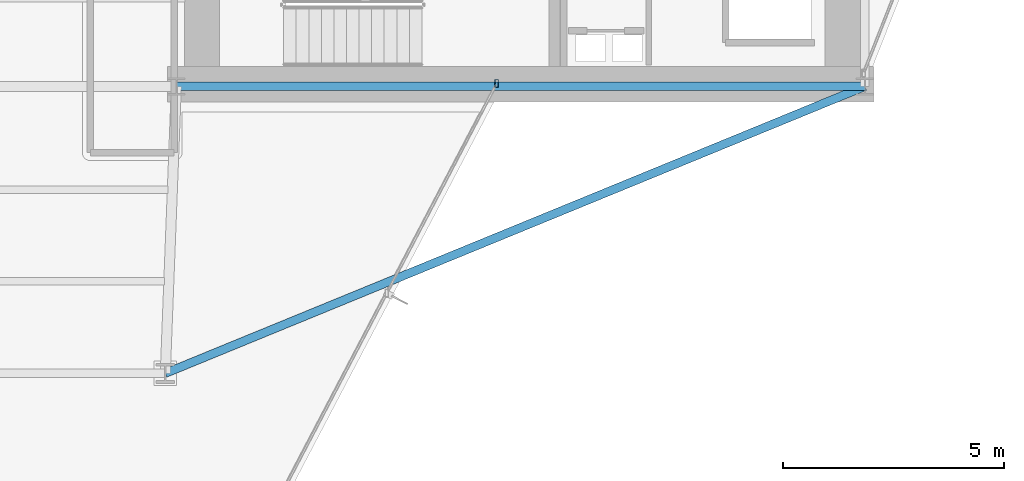
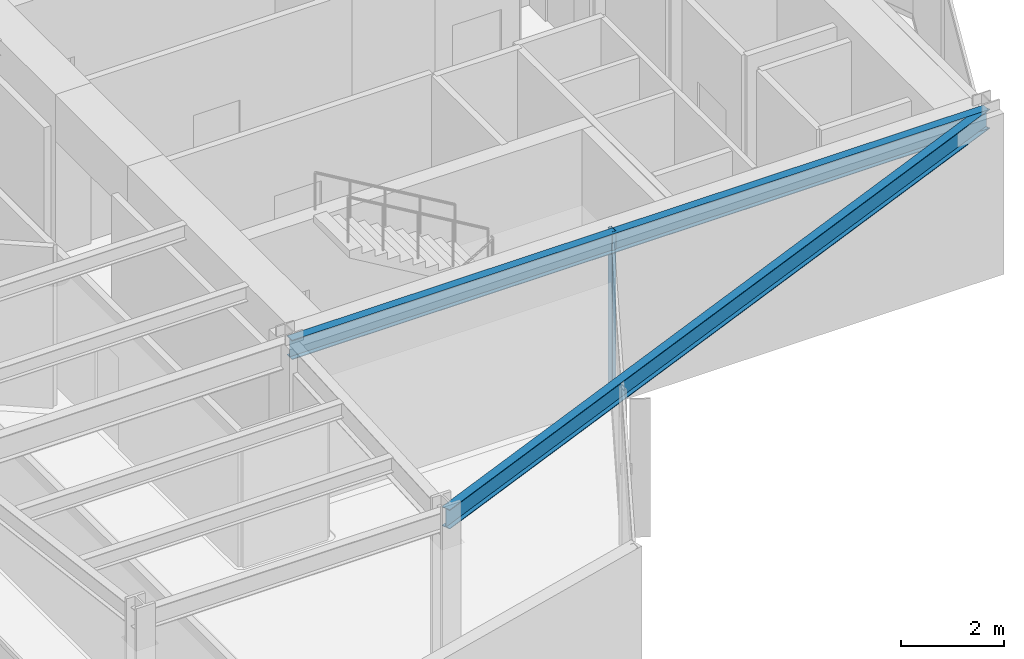
# One storey, part 13 of 25: 2 beams, 1 member, 1 element without a shape of its own.
"""IFC4 building model written with IfcOpenShell, lengths in metres."""

import ifcopenshell
import ifcopenshell.guid

model = None  # the IFC model being written
_history = None  # IfcOwnerHistory: only IFC2X3 demands one
_inside = {}  # id of a spatial element -> (the spatial element, [elements in it])
_under = {}  # id of a project, library or spatial element -> (it, [spatial elements below it])
_declared = {}  # id of a project -> (the project, [libraries it declares])
_typed = {}  # id of a type object -> (the type object, [elements of that type])
_made_of = {}  # id of a material, layer set ... -> (it, [elements and type objects made of it])


def new_model(schema):
    """Start an empty IFC model of exactly this schema.

    Asked for "IFC4X3", IfcOpenShell would pick the latest addendum, in which some entities
    have other attributes; the version numbers below select the first issue.
    IFC2X3 requires an IfcOwnerHistory on every rooted entity: one is made here for all.
    """
    global model, _history
    if schema == "IFC4X3":
        model = ifcopenshell.file(schema_version=(4, 3, 0, 0))
    else:
        model = ifcopenshell.file(schema=schema)
    _inside.clear()
    _under.clear()
    _declared.clear()
    _typed.clear()
    _made_of.clear()
    _history = None
    if model.schema == "IFC2X3":
        org = make("IfcOrganization", Name="unknown")
        user = make(
            "IfcPersonAndOrganization",
            ThePerson=make("IfcPerson", FamilyName="unknown"),
            TheOrganization=org,
        )
        app = make(
            "IfcApplication",
            ApplicationDeveloper=org,
            Version="unknown",
            ApplicationFullName="unknown",
            ApplicationIdentifier="unknown",
        )
        _history = make(
            "IfcOwnerHistory",
            OwningUser=user,
            OwningApplication=app,
            ChangeAction="ADDED",
            CreationDate=0,
        )
    return model


def make(cls, **values):
    """One entity of the class cls with the attributes given. An attribute that is None is left unset."""
    return model.create_entity(
        cls, **{name: value for name, value in values.items() if value is not None}
    )


def rooted(cls, **values):
    """An entity with a GlobalId (a new one), such as an element, a storey or a relation."""
    return make(cls, GlobalId=ifcopenshell.guid.new(), OwnerHistory=_history, **values)


def si_unit(unit_type, name, prefix=None):
    """IfcSIUnit, for example si_unit("LENGTHUNIT", "METRE", prefix="MILLI")."""
    return make("IfcSIUnit", UnitType=unit_type, Prefix=prefix, Name=name)


def assignment(units):
    """IfcUnitAssignment: the units of a project."""
    return None if units is None else make("IfcUnitAssignment", Units=units)


def point(xyz):
    """IfcCartesianPoint."""
    return None if xyz is None else make("IfcCartesianPoint", Coordinates=xyz)


def direction(xyz):
    """IfcDirection."""
    return None if xyz is None else make("IfcDirection", DirectionRatios=xyz)


def frame(location, z_axis=None, x_axis=None):
    """IfcAxis2Placement3D, a coordinate frame: its origin and axes. An axis left out is left unset."""
    return make(
        "IfcAxis2Placement3D",
        Location=point(location),
        Axis=direction(z_axis),
        RefDirection=direction(x_axis),
    )


def frame_2d(location, x_axis=None):
    """IfcAxis2Placement2D, a coordinate frame in the plane: its origin and x axis."""
    return make(
        "IfcAxis2Placement2D", Location=point(location), RefDirection=direction(x_axis)
    )


def origin():
    """The frame at (0, 0, 0) with its axes left unset."""
    return frame((0.0, 0.0, 0.0))


def origin_2d():
    """The frame at (0, 0) in the plane with its x axis left unset."""
    return frame_2d((0.0, 0.0))


def place(relative_to, where):
    """IfcLocalPlacement: puts the frame where relative to a parent placement (None: the world)."""
    return make(
        "IfcLocalPlacement", PlacementRelTo=relative_to, RelativePlacement=where
    )


def context(
    kind, dimensions, precision=None, world=None, true_north=None, identifier=None
):
    """IfcGeometricRepresentationContext, for example the 3D "Model" context."""
    return make(
        "IfcGeometricRepresentationContext",
        ContextIdentifier=identifier,
        ContextType=kind,
        CoordinateSpaceDimension=dimensions,
        Precision=precision,
        WorldCoordinateSystem=world,
        TrueNorth=true_north,
    )


def subcontext(parent, identifier, kind, view, scale=None):
    """IfcGeometricRepresentationSubContext, for example "Body" below "Model"."""
    return make(
        "IfcGeometricRepresentationSubContext",
        ContextIdentifier=identifier,
        ContextType=kind,
        ParentContext=parent,
        TargetScale=scale,
        TargetView=view,
    )


def project(units=None, contexts=None):
    """IfcProject with its units and contexts."""
    return rooted(
        "IfcProject",
        Name="project",
        RepresentationContexts=contexts,
        UnitsInContext=assignment(units),
    )


def spatial(cls, under=None, at=None, **own):
    """A site, building, storey or space (cls), placed at a placement, below another one or the project."""
    s = rooted(cls, ObjectPlacement=at, **own)
    if under is not None:
        _under.setdefault(under.id(), (under, []))[1].append(s)
    return s


def profile(cls, at=None, kind="AREA", **sizes):
    """A parametric profile (cls). Its sizes go by their IFC names, for example OverallWidth=200.0."""
    return make(cls, ProfileType=kind, Position=at, **sizes)


def hollow_rectangle(**sizes):
    """IfcRectangleHollowProfileDef."""
    return profile("IfcRectangleHollowProfileDef", **sizes)


def i_section(**sizes):
    """IfcIShapeProfileDef."""
    return profile("IfcIShapeProfileDef", **sizes)


def extrude(swept, where, along, depth):
    """IfcExtrudedAreaSolid: the profile swept, set in the frame where, extruded along a direction by depth."""
    return make(
        "IfcExtrudedAreaSolid",
        SweptArea=swept,
        Position=where,
        ExtrudedDirection=direction(along),
        Depth=depth,
    )


def shape(context_of_items, identifier, shape_type, items):
    """IfcShapeRepresentation: the items that make up one representation, for example the "Body"."""
    return make(
        "IfcShapeRepresentation",
        ContextOfItems=context_of_items,
        RepresentationIdentifier=identifier,
        RepresentationType=shape_type,
        Items=items,
    )


def material(Name=None, Category=None):
    """IfcMaterial."""
    return make("IfcMaterial", Name=Name, Category=Category)


def layer(
    of_material, thickness, ventilated=None, Name=None, Category=None, Priority=None
):
    """IfcMaterialLayer: one layer of a wall or slab, of a material (None: an air gap)."""
    return make(
        "IfcMaterialLayer",
        Material=of_material,
        LayerThickness=thickness,
        IsVentilated=ventilated,
        Name=Name,
        Category=Category,
        Priority=Priority,
    )


def layer_set(layers, Name=None):
    """IfcMaterialLayerSet."""
    return make("IfcMaterialLayerSet", MaterialLayers=layers, LayerSetName=Name)


def material_profile(
    of_material, cross_section, Name=None, Category=None, Priority=None
):
    """IfcMaterialProfile: a cross section and its material."""
    return make(
        "IfcMaterialProfile",
        Name=Name,
        Material=of_material,
        Profile=cross_section,
        Priority=Priority,
        Category=Category,
    )


def profile_set(profiles, Name=None, composite=None):
    """IfcMaterialProfileSet."""
    return make(
        "IfcMaterialProfileSet",
        Name=Name,
        MaterialProfiles=profiles,
        CompositeProfile=composite,
    )


def made_of(thing, what):
    """Note that an element or type object is made of a material, layer set ...; save() writes the relation."""
    if what is not None:
        _made_of.setdefault(what.id(), (what, []))[1].append(thing)
    return thing


def type_object(cls, material=None, **own):
    """A type object (cls), such as IfcWallType, which elements share."""
    return made_of(rooted(cls, **own), material)


def element(
    cls,
    number,
    at=None,
    inside=None,
    cuts=None,
    type_object=None,
    material=None,
    context=None,
    identifier="Body",
    shape_type=None,
    held_by="IfcProductDefinitionShape",
    body=None,
    shapes=None,
    **own,
):
    """One element of the class cls, such as IfcWall. Its Tag is "e" and its number.

    at: its placement. inside: the storey or other place that contains it. cuts: it is an
    opening in that element (IfcRelVoidsElement). A single representation is given by context,
    identifier, shape_type and body (its items); several are given by shapes. held_by: the class
    of the entity that holds the representations. save() writes the other relations.
    """
    e = rooted(cls, Tag="e%d" % number, ObjectPlacement=at, **own)
    if body is not None:
        shapes = [shape(context, identifier, shape_type, body)]
    if shapes is not None:
        e.Representation = make(held_by, Representations=shapes)
    if inside is not None:
        _inside.setdefault(inside.id(), (inside, []))[1].append(e)
    if cuts is not None:
        rooted(
            "IfcRelVoidsElement", RelatingBuildingElement=cuts, RelatedOpeningElement=e
        )
    if type_object is not None:
        _typed.setdefault(type_object.id(), (type_object, []))[1].append(e)
    return made_of(e, material)


def aggregate(whole, parts):
    """IfcRelAggregates: a whole, such as a stair, and the parts it consists of."""
    return rooted("IfcRelAggregates", RelatingObject=whole, RelatedObjects=parts)


def save(model, path):
    """Write the relations noted so far, then the file.

    IfcRelAggregates (storeys below a building ...), IfcRelContainedInSpatialStructure (elements
    in a storey), IfcRelDefinesByType, IfcRelAssociatesMaterial and IfcRelDeclares: one each for
    every whole, place, type object, material and project.
    """
    for whole, parts in _under.values():
        aggregate(whole, parts)
    for where, things in _inside.values():
        rooted(
            "IfcRelContainedInSpatialStructure",
            RelatedElements=things,
            RelatingStructure=where,
        )
    for kind, things in _typed.values():
        rooted("IfcRelDefinesByType", RelatedObjects=things, RelatingType=kind)
    for what, things in _made_of.values():
        rooted("IfcRelAssociatesMaterial", RelatedObjects=things, RelatingMaterial=what)
    for by, libraries in _declared.values():
        rooted("IfcRelDeclares", RelatingContext=by, RelatedDefinitions=libraries)
    model.write(path)


model = new_model("IFC4")

# Units and contexts
model_context = context("Model", 3, precision=1e-05, world=origin(), true_north=direction((0.0, 1.0)))
body_context = subcontext(model_context, "Body", "Model", "MODEL_VIEW")
ifc_project = project(units=[si_unit("LENGTHUNIT", "METRE"), si_unit("AREAUNIT", "SQUARE_METRE"), si_unit("VOLUMEUNIT", "CUBIC_METRE"), si_unit("PLANEANGLEUNIT", "RADIAN"), si_unit("MASSUNIT", "GRAM", prefix="KILO")], contexts=[model_context])

# Site, building, storey
site_placement = place(None, origin())
site = spatial("IfcSite", under=ifc_project, at=site_placement, CompositionType="ELEMENT")
building_placement = place(site_placement, origin())
building = spatial("IfcBuilding", under=site, at=building_placement, Name="Veymaron Broadcast Tower", CompositionType="ELEMENT")
storey_placement = place(building_placement, frame((0.0, 0.0, 145.199951171875)))
storey = spatial("IfcBuildingStorey", under=building, at=storey_placement, Name="L33", CompositionType="ELEMENT", Elevation=145.199951171875)

# Beams
ifc_material_1 = material(Name="Structural steel ASTM A992 Gr 50", Category="steel")
ifc_material_profile_1 = material_profile(ifc_material_1, i_section(OverallWidth=0.19091796875, OverallDepth=0.4599609375, WebThickness=0.010009765625, FlangeThickness=0.01611328125, at=origin_2d()), Name="W460X82")
ifc_profile_set_1 = profile_set([ifc_material_profile_1], Name="Structural steel ASTM A992 Gr 50")
beam_type = type_object("IfcBeamType", Name="BM-SP1", PredefinedType="SPANDREL", material=ifc_profile_set_1)
beam_1_placement = place(storey_placement, frame((39.0, 16.0, 3.580078125), z_axis=(1.0, 0.0, 0.0), x_axis=(0.0, 1.0, 0.0)))
element("IfcBeam", 1, at=beam_1_placement, inside=storey, type_object=beam_type, Name="L33 primary structural floor girder", PredefinedType="SPANDREL", context=body_context, shape_type="SweptSolid", body=[
    extrude(i_section(OverallWidth=0.19091796875, OverallDepth=0.4599609375, WebThickness=0.010009765625, FlangeThickness=0.01611328125, at=origin_2d()), origin(), (0.0, 0.0, 1.0), 15.60009765625),
])
beam_2_placement = place(storey_placement, frame((54.60009765625, 16.0, 3.580078125), z_axis=(-0.925221989394, -0.379426238342, 0.0), x_axis=(0.379426238342, -0.925221989394, 0.0)))
element("IfcBeam", 2, at=beam_2_placement, inside=storey, type_object=beam_type, Name="L33 primary structural floor girder", PredefinedType="SPANDREL", context=body_context, shape_type="SweptSolid", body=[
    extrude(i_section(OverallWidth=0.19091796875, OverallDepth=0.4599609375, WebThickness=0.010009765625, FlangeThickness=0.01611328125, at=origin_2d()), origin(), (0.0, 0.0, 1.0), 17.131103515625),
])

# Curtain wall, member
ifc_material_2 = material(Name="Anodised aluminium AA 6063-T6 and laminated low-E dark glass", Category="aluminium")
ifc_layer = layer(ifc_material_2, 0.179931640625)
ifc_layer_set = layer_set([ifc_layer], Name="Anodised aluminium AA 6063-T6 and laminated low-E dark glass")
curtain_wall_type = type_object("IfcCurtainWallType", Name="CW-SYS-03", PredefinedType="NOTDEFINED", material=ifc_layer_set)
curtain_wall_placement = place(storey_placement, origin())
curtain_wall = element("IfcCurtainWall", 3, at=curtain_wall_placement, inside=storey, type_object=curtain_wall_type, Name="L33 dark-glass curtain wall CW-L33-E20-1", PredefinedType="NOTDEFINED")
ifc_material_3 = material(Name="Anodised aluminium AA 6063-T6", Category="aluminium")
ifc_material_profile_2 = material_profile(ifc_material_3, hollow_rectangle(XDim=0.074951171875, YDim=0.179931640625, WallThickness=0.0048828125, at=origin_2d()), Name="AL180X75X5")
ifc_profile_set_2 = profile_set([ifc_material_profile_2], Name="Anodised aluminium AA 6063-T6")
member_type = type_object("IfcMemberType", Name="CW-MUL-02", PredefinedType="MULLION", material=ifc_profile_set_2)
member_placement = place(storey_placement, frame((46.25634765625, 16.06494140625, 0.0), z_axis=(0.0, 0.0, 1.0), x_axis=(1.0, 0.0, 0.0)))
member = element("IfcMember", 4, at=member_placement, type_object=member_type, Name="CW-L33-E20-1 mullion 2", PredefinedType="MULLION", context=body_context, shape_type="SweptSolid", body=[
    extrude(hollow_rectangle(XDim=0.074951171875, YDim=0.179931640625, WallThickness=0.0048828125, at=origin_2d()), origin(), (0.0, 0.0, 1.0), 3.81005859375),
])
aggregate(curtain_wall, [member])

save(model, "model.ifc")
